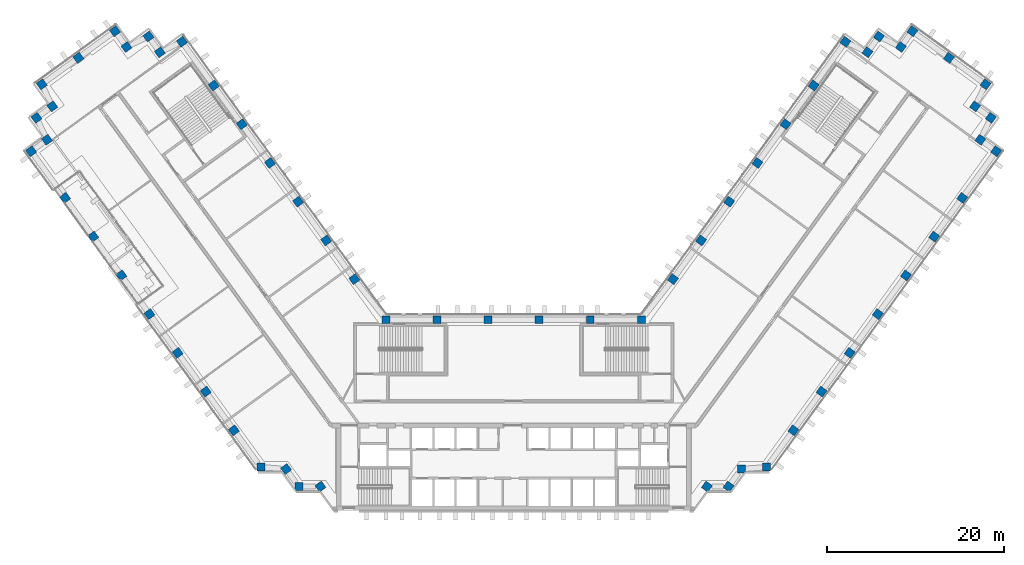
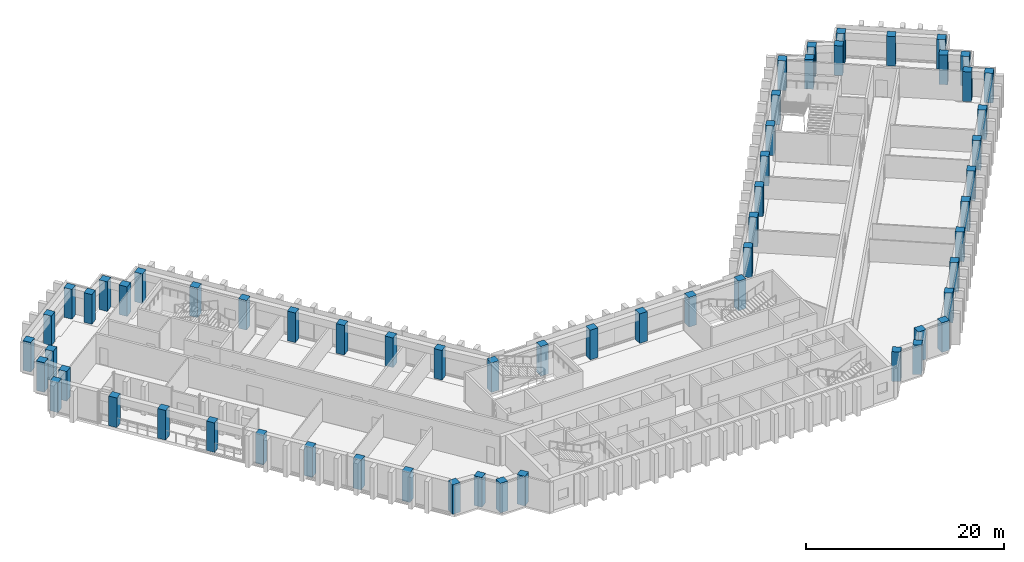
# One storey, part 1 of 17: 62 columns.
"""IFC4 building model written with IfcOpenShell, lengths in metres."""

from ifc_helpers import new_model, si_unit, direction, frame, origin, origin_2d, place, context, subcontext, project, spatial, rectangle, extrude, material, material_profile, profile_set, type_object, element, save


model = new_model("IFC4")

# Units and contexts
model_context = context("Model", 3, precision=1e-05, world=origin(), true_north=direction((0.0, 1.0)))
body_context = subcontext(model_context, "Body", "Model", "MODEL_VIEW")
ifc_project = project(units=[si_unit("LENGTHUNIT", "METRE"), si_unit("AREAUNIT", "SQUARE_METRE"), si_unit("VOLUMEUNIT", "CUBIC_METRE"), si_unit("PLANEANGLEUNIT", "RADIAN"), si_unit("MASSUNIT", "GRAM", prefix="KILO")], contexts=[model_context])

# Site, building, storey
site_placement = place(None, origin())
site = spatial("IfcSite", under=ifc_project, at=site_placement, CompositionType="ELEMENT")
building_placement = place(site_placement, origin())
building = spatial("IfcBuilding", under=site, at=building_placement, Name="Quipu Civic Tower", CompositionType="ELEMENT")
storey_placement = place(building_placement, frame((0.0, 0.0, 43.0)))
storey = spatial("IfcBuildingStorey", under=building, at=storey_placement, Name="L09", CompositionType="ELEMENT", Elevation=43.0)

# Columns
ifc_material = material(Name="Concrete C70/85", Category="concrete")
ifc_material_profile = material_profile(ifc_material, rectangle(XDim=0.89990234375, YDim=0.89990234375, at=origin_2d()), Name="RC900x900")
ifc_profile_set = profile_set([ifc_material_profile], Name="Concrete C70/85")
column_type = type_object("IfcColumnType", Name="Perimeter column RC 900x900 C70/85", PredefinedType="COLUMN", material=ifc_profile_set)
for number, where, z_axis, x_axis, name in (
    (1, (-17.9736328125, 15.074951171875, 0.0), (0.0, 0.0, 1.0), (-0.587785252292, 0.809016994375, 0.0), "Column L09 W-IN-01"),
    (2, (-21.1474609375, 19.44384765625, 0.0), (0.0, 0.0, 1.0), (-0.587785252292, 0.809016994375, 0.0), "Column L09 W-IN-02"),
    (3, (-24.3212890625, 23.8125, 0.0), (0.0, 0.0, 1.0), (-0.587785252292, 0.809016994375, 0.0), "Column L09 W-IN-03"),
    (4, (-27.4951171875, 28.181396484375, 0.0), (0.0, 0.0, 1.0), (-0.587785252292, 0.809016994375, 0.0), "Column L09 W-IN-04"),
    (5, (-30.6689453125, 32.55029296875, 0.0), (0.0, 0.0, 1.0), (-0.587785252292, 0.809016994375, 0.0), "Column L09 W-IN-05"),
    (6, (-33.843017578125, 36.919189453125, 0.0), (0.0, 0.0, 1.0), (-0.587785252292, 0.809016994375, 0.0), "Column L09 W-IN-06"),
    (7, (-37.425048828125, 41.85009765625, 0.0), (0.0, 0.0, 1.0), (-0.587785252292, 0.809016994375, 0.0), "Column L09 T-Wi.0-W50"),
    (8, (-39.905517578125, 40.666015625, 0.0), (0.0, 0.0, 1.0), (-0.587785252292, 0.809016994375, 0.0), "Column L09 T-Wi.1-W50"),
    (9, (-41.199951171875, 42.445068359375, 0.0), (0.0, 0.0, 1.0), (-0.587785252292, 0.809016994375, 0.0), "Column L09 T-Wi.2-W50"),
    (10, (-43.674560546875, 41.264892578125, 0.0), (0.0, 0.0, 1.0), (-0.809016994375, -0.587785252292, 0.0), "Column L09 T-Wi.3-W50"),
    (11, (-44.969970703125, 43.044921875, 0.0), (0.0, 0.0, 1.0), (-0.809016994375, -0.587785252292, 0.0), "Column L09 T-Wi.4-W50"),
    (12, (-49.095703125, 40.046875, 0.0), (0.0, 0.0, 1.0), (-0.809016994375, -0.587785252292, 0.0), "Column L09 TIP-W-01-W50"),
    (13, (-53.219970703125, 37.050048828125, 0.0), (0.0, 0.0, 1.0), (0.587785252292, -0.809016994375, 0.0), "Column L09 T-Wo.0-W50"),
    (14, (-52.038818359375, 34.571044921875, 0.0), (0.0, 0.0, 1.0), (-0.809016994375, -0.587785252292, 0.0), "Column L09 T-Wo.1-W50"),
    (15, (-53.820068359375, 33.27490234375, 0.0), (0.0, 0.0, 1.0), (0.587785252292, -0.809016994375, 0.0), "Column L09 T-Wo.2-W50"),
    (16, (-52.635986328125, 30.799560546875, 0.0), (0.0, 0.0, 1.0), (-0.809016994375, -0.587785252292, 0.0), "Column L09 T-Wo.3-W50"),
    (17, (-54.4150390625, 29.5048828125, 0.0), (0.0, 0.0, 1.0), (0.587785252292, -0.809016994375, 0.0), "Column L09 T-Wo.4-W50"),
    (18, (-50.59228515625, 24.243408203125, 0.0), (0.0, 0.0, 1.0), (0.587785252292, -0.809016994375, 0.0), "Column L09 W-OUT-07"),
    (19, (-47.41845703125, 19.874755859375, 0.0), (0.0, 0.0, 1.0), (0.587785252292, -0.809016994375, 0.0), "Column L09 W-OUT-06"),
    (20, (-44.244384765625, 15.506103515625, 0.0), (0.0, 0.0, 1.0), (0.587785252292, -0.809016994375, 0.0), "Column L09 W-OUT-05"),
    (21, (-41.0703125, 11.137451171875, 0.0), (0.0, 0.0, 1.0), (0.587785252292, -0.809016994375, 0.0), "Column L09 W-OUT-04"),
    (22, (-37.896240234375, 6.768798828125, 0.0), (0.0, 0.0, 1.0), (0.587785252292, -0.809016994375, 0.0), "Column L09 W-OUT-03"),
    (23, (-34.722412109375, 2.39990234375, 0.0), (0.0, 0.0, 1.0), (0.587785252292, -0.809016994375, 0.0), "Column L09 W-OUT-02"),
    (24, (-31.54833984375, -1.96875, 0.0), (0.0, 0.0, 1.0), (0.587785252292, -0.809016994375, 0.0), "Column L09 W-OUT-01"),
    (25, (-28.52490234375, -6.1298828125, 0.0), (0.0, 0.0, 1.0), (1.0, 0.0, 0.0), "Column L09 J-Wo.0"),
    (26, (-25.67431640625, -6.3369140625, 0.0), (0.0, 0.0, 1.0), (0.587785252292, -0.809016994375, 0.0), "Column L09 J-Wo.1"),
    (27, (-24.235107421875, -8.31494140625, 0.0), (0.0, 0.0, 1.0), (1.0, 0.0, 0.0), "Column L09 J-Wo.2"),
    (28, (-21.791748046875, -8.31494140625, 0.0), (0.0, 0.0, 1.0), (0.587785252292, -0.809016994375, 0.0), "Column L09 J-Wo.3"),
    (29, (21.791748046875, -8.31494140625, 0.0), (0.0, 0.0, 1.0), (0.587785252292, 0.809016994375, 0.0), "Column L09 J-Eo.1"),
    (30, (24.235107421875, -8.31494140625, 0.0), (0.0, 0.0, 1.0), (0.587785252292, 0.809016994375, 0.0), "Column L09 J-Eo.2"),
    (31, (25.67431640625, -6.3369140625, 0.0), (0.0, 0.0, 1.0), (1.0, 0.0, 0.0), "Column L09 J-Eo.3"),
    (32, (28.52490234375, -6.1298828125, 0.0), (0.0, 0.0, 1.0), (1.0, 0.0, 0.0), "Column L09 J-Eo.4"),
    (33, (31.54833984375, -1.96875, 0.0), (0.0, 0.0, 1.0), (0.587785252292, 0.809016994375, 0.0), "Column L09 E-OUT-01"),
    (34, (34.722412109375, 2.39990234375, 0.0), (0.0, 0.0, 1.0), (0.587785252292, 0.809016994375, 0.0), "Column L09 E-OUT-02"),
    (35, (37.896240234375, 6.768798828125, 0.0), (0.0, 0.0, 1.0), (0.587785252292, 0.809016994375, 0.0), "Column L09 E-OUT-03"),
    (36, (41.0703125, 11.137451171875, 0.0), (0.0, 0.0, 1.0), (0.587785252292, 0.809016994375, 0.0), "Column L09 E-OUT-04"),
    (37, (44.244384765625, 15.506103515625, 0.0), (0.0, 0.0, 1.0), (0.587785252292, 0.809016994375, 0.0), "Column L09 E-OUT-05"),
    (38, (47.41845703125, 19.874755859375, 0.0), (0.0, 0.0, 1.0), (0.587785252292, 0.809016994375, 0.0), "Column L09 E-OUT-06"),
    (39, (50.59228515625, 24.243408203125, 0.0), (0.0, 0.0, 1.0), (0.587785252292, 0.809016994375, 0.0), "Column L09 E-OUT-07"),
    (40, (54.4150390625, 29.5048828125, 0.0), (0.0, 0.0, 1.0), (0.587785252292, 0.809016994375, 0.0), "Column L09 T-Eo.0-E50"),
    (41, (52.635986328125, 30.799560546875, 0.0), (0.0, 0.0, 1.0), (-0.809016994375, 0.587785252292, 0.0), "Column L09 T-Eo.1-E50"),
    (42, (53.820068359375, 33.27490234375, 0.0), (0.0, 0.0, 1.0), (-0.809016994375, 0.587785252292, 0.0), "Column L09 T-Eo.2-E50"),
    (43, (52.038818359375, 34.571044921875, 0.0), (0.0, 0.0, 1.0), (0.587785252292, 0.809016994375, 0.0), "Column L09 T-Eo.3-E50"),
    (44, (53.219970703125, 37.050048828125, 0.0), (0.0, 0.0, 1.0), (-0.809016994375, 0.587785252292, 0.0), "Column L09 T-Eo.4-E50"),
    (45, (49.095703125, 40.046875, 0.0), (0.0, 0.0, 1.0), (-0.809016994375, 0.587785252292, 0.0), "Column L09 TIP-E-01-E50"),
    (46, (44.969970703125, 43.044921875, 0.0), (0.0, 0.0, 1.0), (-0.809016994375, 0.587785252292, 0.0), "Column L09 T-Ei.0-E50"),
    (47, (43.674560546875, 41.264892578125, 0.0), (0.0, 0.0, 1.0), (-0.809016994375, 0.587785252292, 0.0), "Column L09 T-Ei.1-E50"),
    (48, (41.199951171875, 42.445068359375, 0.0), (0.0, 0.0, 1.0), (-0.587785252292, -0.809016994375, 0.0), "Column L09 T-Ei.2-E50"),
    (49, (39.905517578125, 40.666015625, 0.0), (0.0, 0.0, 1.0), (-0.587785252292, -0.809016994375, 0.0), "Column L09 T-Ei.3-E50"),
    (50, (37.425048828125, 41.85009765625, 0.0), (0.0, 0.0, 1.0), (-0.587785252292, -0.809016994375, 0.0), "Column L09 T-Ei.4-E50"),
    (51, (33.843017578125, 36.919189453125, 0.0), (0.0, 0.0, 1.0), (-0.587785252292, -0.809016994375, 0.0), "Column L09 E-IN-06"),
    (52, (30.6689453125, 32.55029296875, 0.0), (0.0, 0.0, 1.0), (-0.587785252292, -0.809016994375, 0.0), "Column L09 E-IN-05"),
    (53, (27.4951171875, 28.181396484375, 0.0), (0.0, 0.0, 1.0), (-0.587785252292, -0.809016994375, 0.0), "Column L09 E-IN-04"),
    (54, (24.3212890625, 23.8125, 0.0), (0.0, 0.0, 1.0), (-0.587785252292, -0.809016994375, 0.0), "Column L09 E-IN-03"),
    (55, (21.1474609375, 19.44384765625, 0.0), (0.0, 0.0, 1.0), (-0.587785252292, -0.809016994375, 0.0), "Column L09 E-IN-02"),
    (56, (17.9736328125, 15.074951171875, 0.0), (0.0, 0.0, 1.0), (-0.587785252292, -0.809016994375, 0.0), "Column L09 E-IN-01"),
    (57, (14.395263671875, 10.5, 0.0), (0.0, 0.0, 1.0), (-1.0, 0.0, 0.0), "Column L09 J-Ei.0"),
    (58, (8.63720703125, 10.5, 0.0), (0.0, 0.0, 1.0), (-1.0, 0.0, 0.0), "Column L09 FRONT-01"),
    (59, (2.87890625, 10.5, 0.0), (0.0, 0.0, 1.0), (-1.0, 0.0, 0.0), "Column L09 FRONT-02"),
    (60, (-2.87890625, 10.5, 0.0), (0.0, 0.0, 1.0), (-1.0, 0.0, 0.0), "Column L09 FRONT-03"),
    (61, (-8.63720703125, 10.5, 0.0), (0.0, 0.0, 1.0), (-1.0, 0.0, 0.0), "Column L09 FRONT-04"),
    (62, (-14.395263671875, 10.5, 0.0), (0.0, 0.0, 1.0), (-1.0, 0.0, 0.0), "Column L09 J-Wi.0"),
):
    element("IfcColumn", number, at=place(storey_placement, frame(where, z_axis=z_axis, x_axis=x_axis)), inside=storey, type_object=column_type, Name=name, PredefinedType="COLUMN", context=body_context, shape_type="SweptSolid", body=[
        extrude(rectangle(XDim=0.89990234375, YDim=0.89990234375, at=origin_2d()), origin(), (0.0, 0.0, 1.0), 3.64990234375),
    ])

save(model, "model.ifc")
